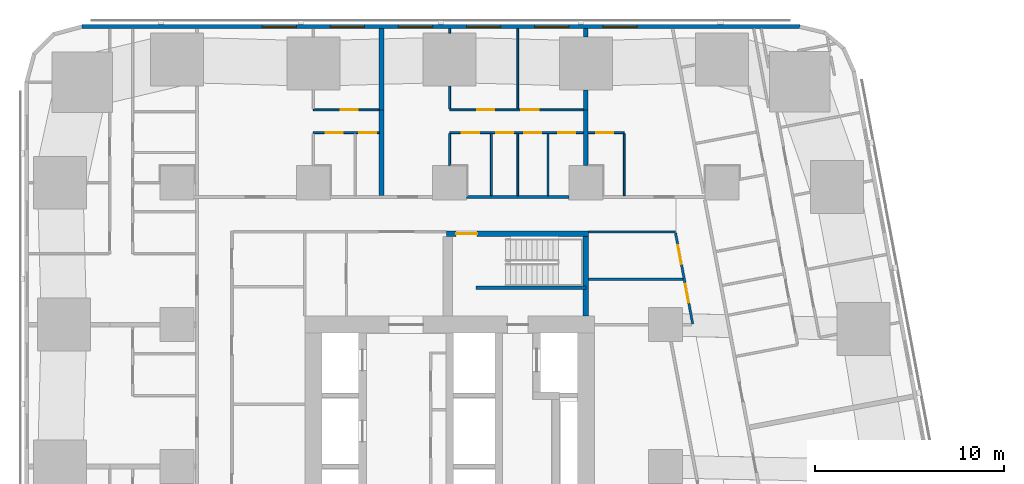
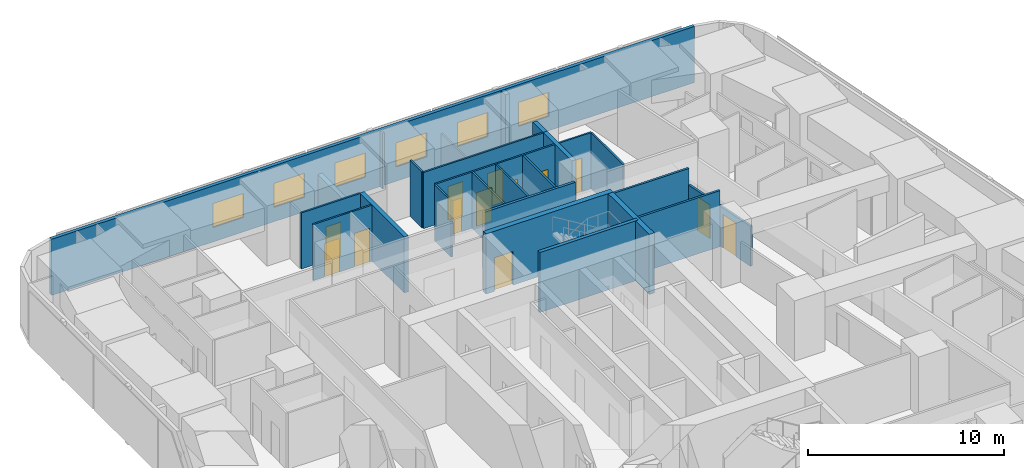
# One storey, part 10 of 16: 26 walls, 13 doors, 6 windows, 19 openings.
"""IFC4 building model written with IfcOpenShell, lengths in metres."""

from ifc_helpers import new_model, si_unit, direction, frame, frame_2d, origin, place, context, subcontext, project, spatial, rectangle, extrude, material, layer, layer_set, type_object, element, fill, save


model = new_model("IFC4")

# Units and contexts
model_context = context("Model", 3, precision=1e-05, world=origin(), true_north=direction((0.0, 1.0)))
body_context = subcontext(model_context, "Body", "Model", "MODEL_VIEW")
ifc_project = project(units=[si_unit("LENGTHUNIT", "METRE"), si_unit("AREAUNIT", "SQUARE_METRE"), si_unit("VOLUMEUNIT", "CUBIC_METRE"), si_unit("PLANEANGLEUNIT", "RADIAN"), si_unit("MASSUNIT", "GRAM", prefix="KILO")], contexts=[model_context])

# Site, building, storey
site_placement = place(None, origin())
site = spatial("IfcSite", under=ifc_project, at=site_placement, CompositionType="ELEMENT")
building_placement = place(site_placement, origin())
building = spatial("IfcBuilding", under=site, at=building_placement, Name="Sheger Commons Tower", CompositionType="ELEMENT")
storey_placement = place(building_placement, frame((0.0, 0.0, 57.5)))
storey = spatial("IfcBuildingStorey", under=building, at=storey_placement, Name="L14", CompositionType="ELEMENT", Elevation=57.5)

# Walls
ifc_material_1 = material(Name="Hollow concrete block masonry, skimmed both sides", Category="masonry")
ifc_layer_1 = layer(ifc_material_1, 0.14990234375)
ifc_layer_set_1 = layer_set([ifc_layer_1], Name="CORRIDOR WALL 150")
wall_type_1 = type_object("IfcWallType", Name="CORRIDOR WALL 150", PredefinedType="SOLIDWALL", material=ifc_layer_set_1)
wall_1_placement = place(storey_placement, frame((22.5009765625, 36.75, 0.0), z_axis=(0.0, 0.0, 1.0), x_axis=(1.0, 0.0, 0.0)))
element("IfcWall", 1, at=wall_1_placement, inside=storey, type_object=wall_type_1, Name="Corridor wall L14", PredefinedType="SOLIDWALL", context=body_context, shape_type="SweptSolid", body=[
    extrude(rectangle(XDim=5.39794921875, YDim=0.14990234375, at=frame_2d((2.698974609375, 0.0))), origin(), (0.0, 0.0, 1.0), 3.5),
])
ifc_material_2 = material(Name="Dense concrete block masonry, plastered both sides (separating wall between flats)", Category="masonry")
ifc_layer_2 = layer(ifc_material_2, 0.25)
ifc_layer_set_2 = layer_set([ifc_layer_2], Name="DEMISING WALL 250")
wall_type_2 = type_object("IfcWallType", Name="DEMISING WALL 250", PredefinedType="SOLIDWALL", material=ifc_layer_set_2)
wall_2_placement = place(storey_placement, frame((18.0, 41.35009765625, 0.0), z_axis=(0.0, 0.0, 1.0), x_axis=(0.0, 1.0, 0.0)))
element("IfcWall", 2, at=wall_2_placement, inside=storey, type_object=wall_type_2, Name="Demising wall L14", PredefinedType="SOLIDWALL", context=body_context, shape_type="SweptSolid", body=[
    extrude(rectangle(XDim=4.2998046875, YDim=0.25, at=frame_2d((2.14990234375, 0.0))), origin(), (0.0, 0.0, 1.0), 2.050048828125),
])
wall_3_placement = place(storey_placement, frame((18.0, 36.824951171875, 0.0), z_axis=(0.0, 0.0, 1.0), x_axis=(0.0, 1.0, 0.0)))
element("IfcWall", 3, at=wall_3_placement, inside=storey, type_object=wall_type_2, Name="Demising wall L14", PredefinedType="SOLIDWALL", context=body_context, shape_type="SweptSolid", body=[
    extrude(rectangle(XDim=4.525146484375, YDim=0.25, at=frame_2d((2.2626953125, 0.0))), origin(), (0.0, 0.0, 1.0), 3.5),
])
wall_4_placement = place(storey_placement, frame((28.800048828125, 41.35009765625, 0.0), z_axis=(0.0, 0.0, 1.0), x_axis=(0.0, 1.0, 0.0)))
element("IfcWall", 4, at=wall_4_placement, inside=storey, type_object=wall_type_2, Name="Demising wall L14", PredefinedType="SOLIDWALL", context=body_context, shape_type="SweptSolid", body=[
    extrude(rectangle(XDim=1.048828125, YDim=0.25, at=frame_2d((0.5244140625, 0.0))), origin(), (0.0, 0.0, 1.0), 3.5),
])
wall_5_placement = place(storey_placement, frame((28.800048828125, 45.200927734375, 0.0), z_axis=(0.0, 0.0, 1.0), x_axis=(0.0, 1.0, 0.0)))
element("IfcWall", 5, at=wall_5_placement, inside=storey, type_object=wall_type_2, Name="Demising wall L14", PredefinedType="SOLIDWALL", context=body_context, shape_type="SweptSolid", body=[
    extrude(rectangle(XDim=0.448974609375, YDim=0.25, at=frame_2d((0.224609375, 0.0))), origin(), (0.0, 0.0, 1.0), 3.5),
])
wall_6_placement = place(storey_placement, frame((28.800048828125, 38.40087890625, 0.0), z_axis=(0.0, 0.0, 1.0), x_axis=(0.0, 1.0, 0.0)))
element("IfcWall", 6, at=wall_6_placement, inside=storey, type_object=wall_type_2, Name="Demising wall L14", PredefinedType="SOLIDWALL", context=body_context, shape_type="SweptSolid", body=[
    extrude(rectangle(XDim=2.94921875, YDim=0.25, at=frame_2d((1.474609375, 0.0))), origin(), (0.0, 0.0, 1.0), 3.5),
])

# Wall, openings, windows
ifc_material_3 = material(Name="Rendered concrete block masonry, dark grey", Category="masonry")
ifc_layer_3 = layer(ifc_material_3, 0.199951171875)
ifc_layer_set_3 = layer_set([ifc_layer_3], Name="FACADE WALL 200")
wall_type_3 = type_object("IfcWallType", Name="FACADE WALL 200", PredefinedType="SOLIDWALL", material=ifc_layer_set_3)
wall_7_placement = place(storey_placement, frame((40.10595703125, 45.75, 0.0), z_axis=(0.0, 0.0, 1.0), x_axis=(-1.0, 0.0, 0.0)))
wall_7 = element("IfcWall", 7, at=wall_7_placement, inside=storey, type_object=wall_type_3, Name="Facade wall L14", PredefinedType="SOLIDWALL", context=body_context, shape_type="SweptSolid", body=[
    extrude(rectangle(XDim=37.94287109375, YDim=0.199951171875, at=frame_2d((18.971435546875, 0.0))), origin(), (0.0, 0.0, 1.0), 3.5),
])
opening_1_placement = place(wall_7_placement, frame((8.60595703125, 0.0, 0.89990234375)))
opening_1 = element("IfcOpeningElement", 8, at=opening_1_placement, cuts=wall_7, Name="Opening W2", PredefinedType="OPENING", context=body_context, shape_type="SweptSolid", body=[
    extrude(rectangle(XDim=1.800048828125, YDim=1.5, at=frame_2d((0.89990234375, 0.75))), frame((0.0, 0.10986328125, 0.0), z_axis=(0.0, -1.0, 0.0), x_axis=(1.0, 0.0, 0.0)), (0.0, 0.0, 1.0), 0.219970703125),
])
opening_2_placement = place(wall_7_placement, frame((12.2060546875, 0.0, 0.89990234375)))
opening_2 = element("IfcOpeningElement", 9, at=opening_2_placement, cuts=wall_7, Name="Opening W2", PredefinedType="OPENING", context=body_context, shape_type="SweptSolid", body=[
    extrude(rectangle(XDim=1.800048828125, YDim=1.5, at=frame_2d((0.89990234375, 0.75))), frame((0.0, 0.10986328125, 0.0), z_axis=(0.0, -1.0, 0.0), x_axis=(1.0, 0.0, 0.0)), (0.0, 0.0, 1.0), 0.219970703125),
])
opening_3_placement = place(wall_7_placement, frame((15.805908203125, 0.0, 0.89990234375)))
opening_3 = element("IfcOpeningElement", 10, at=opening_3_placement, cuts=wall_7, Name="Opening W2", PredefinedType="OPENING", context=body_context, shape_type="SweptSolid", body=[
    extrude(rectangle(XDim=1.800048828125, YDim=1.5, at=frame_2d((0.89990234375, 0.75))), frame((0.0, 0.10986328125, 0.0), z_axis=(0.0, -1.0, 0.0), x_axis=(1.0, 0.0, 0.0)), (0.0, 0.0, 1.0), 0.219970703125),
])
opening_4_placement = place(wall_7_placement, frame((19.406005859375, 0.0, 0.89990234375)))
opening_4 = element("IfcOpeningElement", 11, at=opening_4_placement, cuts=wall_7, Name="Opening W2", PredefinedType="OPENING", context=body_context, shape_type="SweptSolid", body=[
    extrude(rectangle(XDim=1.800048828125, YDim=1.5, at=frame_2d((0.89990234375, 0.75))), frame((0.0, 0.10986328125, 0.0), z_axis=(0.0, -1.0, 0.0), x_axis=(1.0, 0.0, 0.0)), (0.0, 0.0, 1.0), 0.219970703125),
])
opening_5_placement = place(wall_7_placement, frame((23.006103515625, 0.0, 0.89990234375)))
opening_5 = element("IfcOpeningElement", 12, at=opening_5_placement, cuts=wall_7, Name="Opening W2", PredefinedType="OPENING", context=body_context, shape_type="SweptSolid", body=[
    extrude(rectangle(XDim=1.800048828125, YDim=1.5, at=frame_2d((0.89990234375, 0.75))), frame((0.0, 0.10986328125, 0.0), z_axis=(0.0, -1.0, 0.0), x_axis=(1.0, 0.0, 0.0)), (0.0, 0.0, 1.0), 0.219970703125),
])
opening_6_placement = place(wall_7_placement, frame((26.60595703125, 0.0, 0.89990234375)))
opening_6 = element("IfcOpeningElement", 13, at=opening_6_placement, cuts=wall_7, Name="Opening W2", PredefinedType="OPENING", context=body_context, shape_type="SweptSolid", body=[
    extrude(rectangle(XDim=1.800048828125, YDim=1.5, at=frame_2d((0.89990234375, 0.75))), frame((0.0, 0.10986328125, 0.0), z_axis=(0.0, -1.0, 0.0), x_axis=(1.0, 0.0, 0.0)), (0.0, 0.0, 1.0), 0.219970703125),
])
ifc_material_4 = material(Name="Black aluminium frame, dark tinted double glazing", Category="aluminium")
window_type = type_object("IfcWindowType", Name="WINDOW W2 1800x1500", PartitioningType="SINGLE_PANEL", PredefinedType="WINDOW", material=ifc_material_4)
window_1_placement = place(opening_1_placement, origin())
window_1 = element("IfcWindow", 14, at=window_1_placement, inside=storey, type_object=window_type, Name="Window W2 1800X1500", OverallHeight=1.5, OverallWidth=1.800048828125, PartitioningType="SINGLE_PANEL", PredefinedType="WINDOW", context=body_context, shape_type="SweptSolid", body=[
    extrude(rectangle(XDim=1.800048828125, YDim=1.5, at=frame_2d((0.89990234375, 0.75))), frame((0.0, 0.030029296875, 0.0), z_axis=(0.0, -1.0, 0.0), x_axis=(1.0, 0.0, 0.0)), (0.0, 0.0, 1.0), 0.06005859375),
])
fill(opening_1, window_1)
window_2_placement = place(opening_2_placement, origin())
window_2 = element("IfcWindow", 15, at=window_2_placement, inside=storey, type_object=window_type, Name="Window W2 1800X1500", OverallHeight=1.5, OverallWidth=1.800048828125, PartitioningType="SINGLE_PANEL", PredefinedType="WINDOW", context=body_context, shape_type="SweptSolid", body=[
    extrude(rectangle(XDim=1.800048828125, YDim=1.5, at=frame_2d((0.89990234375, 0.75))), frame((0.0, 0.030029296875, 0.0), z_axis=(0.0, -1.0, 0.0), x_axis=(1.0, 0.0, 0.0)), (0.0, 0.0, 1.0), 0.06005859375),
])
fill(opening_2, window_2)
window_3_placement = place(opening_3_placement, origin())
window_3 = element("IfcWindow", 16, at=window_3_placement, inside=storey, type_object=window_type, Name="Window W2 1800X1500", OverallHeight=1.5, OverallWidth=1.800048828125, PartitioningType="SINGLE_PANEL", PredefinedType="WINDOW", context=body_context, shape_type="SweptSolid", body=[
    extrude(rectangle(XDim=1.800048828125, YDim=1.5, at=frame_2d((0.89990234375, 0.75))), frame((0.0, 0.030029296875, 0.0), z_axis=(0.0, -1.0, 0.0), x_axis=(1.0, 0.0, 0.0)), (0.0, 0.0, 1.0), 0.06005859375),
])
fill(opening_3, window_3)
window_4_placement = place(opening_4_placement, origin())
window_4 = element("IfcWindow", 17, at=window_4_placement, inside=storey, type_object=window_type, Name="Window W2 1800X1500", OverallHeight=1.5, OverallWidth=1.800048828125, PartitioningType="SINGLE_PANEL", PredefinedType="WINDOW", context=body_context, shape_type="SweptSolid", body=[
    extrude(rectangle(XDim=1.800048828125, YDim=1.5, at=frame_2d((0.89990234375, 0.75))), frame((0.0, 0.030029296875, 0.0), z_axis=(0.0, -1.0, 0.0), x_axis=(1.0, 0.0, 0.0)), (0.0, 0.0, 1.0), 0.06005859375),
])
fill(opening_4, window_4)
window_5_placement = place(opening_5_placement, origin())
window_5 = element("IfcWindow", 18, at=window_5_placement, inside=storey, type_object=window_type, Name="Window W2 1800X1500", OverallHeight=1.5, OverallWidth=1.800048828125, PartitioningType="SINGLE_PANEL", PredefinedType="WINDOW", context=body_context, shape_type="SweptSolid", body=[
    extrude(rectangle(XDim=1.800048828125, YDim=1.5, at=frame_2d((0.89990234375, 0.75))), frame((0.0, 0.030029296875, 0.0), z_axis=(0.0, -1.0, 0.0), x_axis=(1.0, 0.0, 0.0)), (0.0, 0.0, 1.0), 0.06005859375),
])
fill(opening_5, window_5)
window_6_placement = place(opening_6_placement, origin())
window_6 = element("IfcWindow", 19, at=window_6_placement, inside=storey, type_object=window_type, Name="Window W2 1800X1500", OverallHeight=1.5, OverallWidth=1.800048828125, PartitioningType="SINGLE_PANEL", PredefinedType="WINDOW", context=body_context, shape_type="SweptSolid", body=[
    extrude(rectangle(XDim=1.800048828125, YDim=1.5, at=frame_2d((0.89990234375, 0.75))), frame((0.0, 0.030029296875, 0.0), z_axis=(0.0, -1.0, 0.0), x_axis=(1.0, 0.0, 0.0)), (0.0, 0.0, 1.0), 0.06005859375),
])
fill(opening_6, window_6)

# Wall, opening, door
ifc_material_5 = material(Name="Gypsum board on steel studs", Category="steel")
ifc_layer_4 = layer(ifc_material_5, 0.10009765625)
ifc_layer_set_4 = layer_set([ifc_layer_4], Name="PARTITION 100")
wall_type_4 = type_object("IfcWallType", Name="PARTITION 100", PredefinedType="PARTITIONING", material=ifc_layer_set_4)
wall_8_placement = place(storey_placement, frame((14.39990234375, 41.35009765625, 0.0), z_axis=(0.0, 0.0, 1.0), x_axis=(1.0, 0.0, 0.0)))
wall_8 = element("IfcWall", 20, at=wall_8_placement, inside=storey, type_object=wall_type_4, Name="Partition L14", PredefinedType="PARTITIONING", context=body_context, shape_type="SweptSolid", body=[
    extrude(rectangle(XDim=3.47509765625, YDim=0.10009765625, at=frame_2d((1.737548828125, 0.0))), origin(), (0.0, 0.0, 1.0), 3.5),
])
opening_7_placement = place(wall_8_placement, frame((1.449951171875, 0.0, 0.0)))
opening_7 = element("IfcOpeningElement", 21, at=opening_7_placement, cuts=wall_8, Name="Opening D2", PredefinedType="OPENING", context=body_context, shape_type="SweptSolid", body=[
    extrude(rectangle(XDim=0.89990234375, YDim=2.10009765625, at=frame_2d((0.449951171875, 1.050048828125))), frame((0.0, 0.06005859375, 0.0), z_axis=(0.0, -1.0, 0.0), x_axis=(1.0, 0.0, 0.0)), (0.0, 0.0, 1.0), 0.1201171875),
])
ifc_material_6 = material(Name="Timber door set", Category="wood")
door_type_1 = type_object("IfcDoorType", Name="INTERNAL DOOR 900x2100", OperationType="NOTDEFINED", PredefinedType="DOOR", material=ifc_material_6)
door_1_placement = place(opening_7_placement, origin())
door_1 = element("IfcDoor", 22, at=door_1_placement, inside=storey, type_object=door_type_1, Name="Main bedroom door", OperationType="SINGLE_SWING_RIGHT", OverallHeight=2.10009765625, OverallWidth=0.89990234375, PredefinedType="DOOR", context=body_context, shape_type="SweptSolid", body=[
    extrude(rectangle(XDim=0.89990234375, YDim=2.10009765625, at=frame_2d((0.449951171875, 1.050048828125))), frame((0.0, 0.02490234375, 0.0), z_axis=(0.0, -1.0, 0.0), x_axis=(1.0, 0.0, 0.0)), (0.0, 0.0, 1.0), 0.050048828125),
])
fill(opening_7, door_1)

# Wall, openings, doors
wall_9_placement = place(storey_placement, frame((14.39990234375, 40.14990234375, 0.0), z_axis=(0.0, 0.0, 1.0), x_axis=(1.0, 0.0, 0.0)))
wall_9 = element("IfcWall", 23, at=wall_9_placement, inside=storey, type_object=wall_type_4, Name="Partition L14", PredefinedType="PARTITIONING", context=body_context, shape_type="SweptSolid", body=[
    extrude(rectangle(XDim=3.47509765625, YDim=0.10009765625, at=frame_2d((1.737548828125, 0.0))), origin(), (0.0, 0.0, 1.0), 3.5),
])
opening_8_placement = place(wall_9_placement, frame((0.655029296875, 0.0, 0.0)))
opening_8 = element("IfcOpeningElement", 24, at=opening_8_placement, cuts=wall_9, Name="Opening D2", PredefinedType="OPENING", context=body_context, shape_type="SweptSolid", body=[
    extrude(rectangle(XDim=0.89990234375, YDim=2.10009765625, at=frame_2d((0.449951171875, 1.050048828125))), frame((0.0, 0.06005859375, 0.0), z_axis=(0.0, -1.0, 0.0), x_axis=(1.0, 0.0, 0.0)), (0.0, 0.0, 1.0), 0.1201171875),
])
opening_9_placement = place(wall_9_placement, frame((2.425048828125, 0.0, 0.0)))
opening_9 = element("IfcOpeningElement", 25, at=opening_9_placement, cuts=wall_9, Name="Opening D2", PredefinedType="OPENING", context=body_context, shape_type="SweptSolid", body=[
    extrude(rectangle(XDim=0.89990234375, YDim=2.10009765625, at=frame_2d((0.449951171875, 1.050048828125))), frame((0.0, 0.06005859375, 0.0), z_axis=(0.0, -1.0, 0.0), x_axis=(1.0, 0.0, 0.0)), (0.0, 0.0, 1.0), 0.1201171875),
])
door_2_placement = place(opening_8_placement, origin())
door_2 = element("IfcDoor", 26, at=door_2_placement, inside=storey, type_object=door_type_1, Name="Bathroom door", OperationType="SINGLE_SWING_RIGHT", OverallHeight=2.10009765625, OverallWidth=0.89990234375, PredefinedType="DOOR", context=body_context, shape_type="SweptSolid", body=[
    extrude(rectangle(XDim=0.89990234375, YDim=2.10009765625, at=frame_2d((0.449951171875, 1.050048828125))), frame((0.0, 0.02490234375, 0.0), z_axis=(0.0, -1.0, 0.0), x_axis=(1.0, 0.0, 0.0)), (0.0, 0.0, 1.0), 0.050048828125),
])
fill(opening_8, door_2)
door_3_placement = place(opening_9_placement, origin())
door_3 = element("IfcDoor", 27, at=door_3_placement, inside=storey, type_object=door_type_1, Name="Store door", OperationType="SINGLE_SWING_LEFT", OverallHeight=2.10009765625, OverallWidth=0.89990234375, PredefinedType="DOOR", context=body_context, shape_type="SweptSolid", body=[
    extrude(rectangle(XDim=0.89990234375, YDim=2.10009765625, at=frame_2d((0.449951171875, 1.050048828125))), frame((0.0, 0.02490234375, 0.0), z_axis=(0.0, -1.0, 0.0), x_axis=(1.0, 0.0, 0.0)), (0.0, 0.0, 1.0), 0.050048828125),
])
fill(opening_9, door_3)

wall_10_placement = place(storey_placement, frame((21.60009765625, 41.35009765625, 0.0), z_axis=(0.0, 0.0, 1.0), x_axis=(1.0, 0.0, 0.0)))
wall_10 = element("IfcWall", 28, at=wall_10_placement, inside=storey, type_object=wall_type_4, Name="Partition L14", PredefinedType="PARTITIONING", context=body_context, shape_type="SweptSolid", body=[
    extrude(rectangle(XDim=7.074951171875, YDim=0.10009765625, at=frame_2d((3.53759765625, 0.0))), origin(), (0.0, 0.0, 1.0), 3.5),
])
opening_10_placement = place(wall_10_placement, frame((1.449951171875, 0.0, 0.0)))
opening_10 = element("IfcOpeningElement", 29, at=opening_10_placement, cuts=wall_10, Name="Opening D2", PredefinedType="OPENING", context=body_context, shape_type="SweptSolid", body=[
    extrude(rectangle(XDim=0.89990234375, YDim=2.10009765625, at=frame_2d((0.449951171875, 1.050048828125))), frame((0.0, 0.06005859375, 0.0), z_axis=(0.0, -1.0, 0.0), x_axis=(1.0, 0.0, 0.0)), (0.0, 0.0, 1.0), 0.1201171875),
])
opening_11_placement = place(wall_10_placement, frame((3.800048828125, 0.0, 0.0)))
opening_11 = element("IfcOpeningElement", 30, at=opening_11_placement, cuts=wall_10, Name="Opening D2", PredefinedType="OPENING", context=body_context, shape_type="SweptSolid", body=[
    extrude(rectangle(XDim=0.89990234375, YDim=2.10009765625, at=frame_2d((0.449951171875, 1.050048828125))), frame((0.0, 0.06005859375, 0.0), z_axis=(0.0, -1.0, 0.0), x_axis=(1.0, 0.0, 0.0)), (0.0, 0.0, 1.0), 0.1201171875),
])
door_4_placement = place(opening_10_placement, origin())
door_4 = element("IfcDoor", 31, at=door_4_placement, inside=storey, type_object=door_type_1, Name="Main bedroom door", OperationType="SINGLE_SWING_LEFT", OverallHeight=2.10009765625, OverallWidth=0.89990234375, PredefinedType="DOOR", context=body_context, shape_type="SweptSolid", body=[
    extrude(rectangle(XDim=0.89990234375, YDim=2.10009765625, at=frame_2d((0.449951171875, 1.050048828125))), frame((0.0, 0.02490234375, 0.0), z_axis=(0.0, -1.0, 0.0), x_axis=(1.0, 0.0, 0.0)), (0.0, 0.0, 1.0), 0.050048828125),
])
fill(opening_10, door_4)
door_5_placement = place(opening_11_placement, origin())
door_5 = element("IfcDoor", 32, at=door_5_placement, inside=storey, type_object=door_type_1, Name="Bedroom 2 door", OperationType="SINGLE_SWING_LEFT", OverallHeight=2.10009765625, OverallWidth=0.89990234375, PredefinedType="DOOR", context=body_context, shape_type="SweptSolid", body=[
    extrude(rectangle(XDim=0.89990234375, YDim=2.10009765625, at=frame_2d((0.449951171875, 1.050048828125))), frame((0.0, 0.02490234375, 0.0), z_axis=(0.0, -1.0, 0.0), x_axis=(1.0, 0.0, 0.0)), (0.0, 0.0, 1.0), 0.050048828125),
])
fill(opening_11, door_5)

wall_11_placement = place(storey_placement, frame((21.60009765625, 40.14990234375, 0.0), z_axis=(0.0, 0.0, 1.0), x_axis=(1.0, 0.0, 0.0)))
wall_11 = element("IfcWall", 33, at=wall_11_placement, inside=storey, type_object=wall_type_4, Name="Partition L14", PredefinedType="PARTITIONING", context=body_context, shape_type="SweptSolid", body=[
    extrude(rectangle(XDim=7.074951171875, YDim=0.10009765625, at=frame_2d((3.53759765625, 0.0))), origin(), (0.0, 0.0, 1.0), 3.5),
])
opening_12_placement = place(wall_11_placement, frame((0.655029296875, 0.0, 0.0)))
opening_12 = element("IfcOpeningElement", 34, at=opening_12_placement, cuts=wall_11, Name="Opening D2", PredefinedType="OPENING", context=body_context, shape_type="SweptSolid", body=[
    extrude(rectangle(XDim=0.89990234375, YDim=2.10009765625, at=frame_2d((0.449951171875, 1.050048828125))), frame((0.0, 0.06005859375, 0.0), z_axis=(0.0, -1.0, 0.0), x_axis=(1.0, 0.0, 0.0)), (0.0, 0.0, 1.0), 0.1201171875),
])
opening_13_placement = place(wall_11_placement, frame((3.949951171875, 0.0, 0.0)))
opening_13 = element("IfcOpeningElement", 35, at=opening_13_placement, cuts=wall_11, Name="Opening D2", PredefinedType="OPENING", context=body_context, shape_type="SweptSolid", body=[
    extrude(rectangle(XDim=0.89990234375, YDim=2.10009765625, at=frame_2d((0.449951171875, 1.050048828125))), frame((0.0, 0.06005859375, 0.0), z_axis=(0.0, -1.0, 0.0), x_axis=(1.0, 0.0, 0.0)), (0.0, 0.0, 1.0), 0.1201171875),
])
opening_14_placement = place(wall_11_placement, frame((2.455078125, 0.0, 0.0)))
opening_14 = element("IfcOpeningElement", 36, at=opening_14_placement, cuts=wall_11, Name="Opening D2", PredefinedType="OPENING", context=body_context, shape_type="SweptSolid", body=[
    extrude(rectangle(XDim=0.89990234375, YDim=2.10009765625, at=frame_2d((0.449951171875, 1.050048828125))), frame((0.0, 0.06005859375, 0.0), z_axis=(0.0, -1.0, 0.0), x_axis=(1.0, 0.0, 0.0)), (0.0, 0.0, 1.0), 0.1201171875),
])
opening_15_placement = place(wall_11_placement, frame((5.75, 0.0, 0.0)))
opening_15 = element("IfcOpeningElement", 37, at=opening_15_placement, cuts=wall_11, Name="Opening D2", PredefinedType="OPENING", context=body_context, shape_type="SweptSolid", body=[
    extrude(rectangle(XDim=0.89990234375, YDim=2.10009765625, at=frame_2d((0.449951171875, 1.050048828125))), frame((0.0, 0.06005859375, 0.0), z_axis=(0.0, -1.0, 0.0), x_axis=(1.0, 0.0, 0.0)), (0.0, 0.0, 1.0), 0.1201171875),
])
door_6_placement = place(opening_12_placement, origin())
door_6 = element("IfcDoor", 38, at=door_6_placement, inside=storey, type_object=door_type_1, Name="Bathroom door", OperationType="SINGLE_SWING_RIGHT", OverallHeight=2.10009765625, OverallWidth=0.89990234375, PredefinedType="DOOR", context=body_context, shape_type="SweptSolid", body=[
    extrude(rectangle(XDim=0.89990234375, YDim=2.10009765625, at=frame_2d((0.449951171875, 1.050048828125))), frame((0.0, 0.02490234375, 0.0), z_axis=(0.0, -1.0, 0.0), x_axis=(1.0, 0.0, 0.0)), (0.0, 0.0, 1.0), 0.050048828125),
])
fill(opening_12, door_6)
door_7_placement = place(opening_13_placement, origin())
door_7 = element("IfcDoor", 39, at=door_7_placement, inside=storey, type_object=door_type_1, Name="Shower room door", OperationType="SINGLE_SWING_LEFT", OverallHeight=2.10009765625, OverallWidth=0.89990234375, PredefinedType="DOOR", context=body_context, shape_type="SweptSolid", body=[
    extrude(rectangle(XDim=0.89990234375, YDim=2.10009765625, at=frame_2d((0.449951171875, 1.050048828125))), frame((0.0, 0.02490234375, 0.0), z_axis=(0.0, -1.0, 0.0), x_axis=(1.0, 0.0, 0.0)), (0.0, 0.0, 1.0), 0.050048828125),
])
fill(opening_13, door_7)
door_8_placement = place(opening_14_placement, origin())
door_8 = element("IfcDoor", 40, at=door_8_placement, inside=storey, type_object=door_type_1, Name="Store door", OperationType="SINGLE_SWING_LEFT", OverallHeight=2.10009765625, OverallWidth=0.89990234375, PredefinedType="DOOR", context=body_context, shape_type="SweptSolid", body=[
    extrude(rectangle(XDim=0.89990234375, YDim=2.10009765625, at=frame_2d((0.449951171875, 1.050048828125))), frame((0.0, 0.02490234375, 0.0), z_axis=(0.0, -1.0, 0.0), x_axis=(1.0, 0.0, 0.0)), (0.0, 0.0, 1.0), 0.050048828125),
])
fill(opening_14, door_8)
door_9_placement = place(opening_15_placement, origin())
door_9 = element("IfcDoor", 41, at=door_9_placement, inside=storey, type_object=door_type_1, Name="Store door", OperationType="SINGLE_SWING_LEFT", OverallHeight=2.10009765625, OverallWidth=0.89990234375, PredefinedType="DOOR", context=body_context, shape_type="SweptSolid", body=[
    extrude(rectangle(XDim=0.89990234375, YDim=2.10009765625, at=frame_2d((0.449951171875, 1.050048828125))), frame((0.0, 0.02490234375, 0.0), z_axis=(0.0, -1.0, 0.0), x_axis=(1.0, 0.0, 0.0)), (0.0, 0.0, 1.0), 0.050048828125),
])
fill(opening_15, door_9)

# Walls
wall_12_placement = place(storey_placement, frame((21.60009765625, 41.39990234375, 0.0), z_axis=(0.0, 0.0, 1.0), x_axis=(0.0, 1.0, 0.0)))
element("IfcWall", 42, at=wall_12_placement, inside=storey, type_object=wall_type_4, Name="Partition L14", PredefinedType="PARTITIONING", context=body_context, shape_type="SweptSolid", body=[
    extrude(rectangle(XDim=1.19921875, YDim=0.10009765625, at=frame_2d((0.599609375, 0.0))), origin(), (0.0, 0.0, 1.0), 3.5),
])
wall_13_placement = place(storey_placement, frame((21.60009765625, 45.40087890625, 0.0), z_axis=(0.0, 0.0, 1.0), x_axis=(0.0, 1.0, 0.0)))
element("IfcWall", 43, at=wall_13_placement, inside=storey, type_object=wall_type_4, Name="Partition L14", PredefinedType="PARTITIONING", context=body_context, shape_type="SweptSolid", body=[
    extrude(rectangle(XDim=0.2490234375, YDim=0.10009765625, at=frame_2d((0.12451171875, 0.0))), origin(), (0.0, 0.0, 1.0), 3.5),
])
wall_14_placement = place(storey_placement, frame((25.199951171875, 41.39990234375, 0.0), z_axis=(0.0, 0.0, 1.0), x_axis=(0.0, 1.0, 0.0)))
element("IfcWall", 44, at=wall_14_placement, inside=storey, type_object=wall_type_4, Name="Partition L14", PredefinedType="PARTITIONING", context=body_context, shape_type="SweptSolid", body=[
    extrude(rectangle(XDim=4.25, YDim=0.10009765625, at=frame_2d((2.125, 0.0))), origin(), (0.0, 0.0, 1.0), 2.050048828125),
])
wall_15_placement = place(storey_placement, frame((21.60009765625, 38.40087890625, 0.0), z_axis=(0.0, 0.0, 1.0), x_axis=(0.0, 1.0, 0.0)))
element("IfcWall", 45, at=wall_15_placement, inside=storey, type_object=wall_type_4, Name="Partition L14", PredefinedType="PARTITIONING", context=body_context, shape_type="SweptSolid", body=[
    extrude(rectangle(XDim=1.69921875, YDim=0.10009765625, at=frame_2d((0.849609375, 0.0))), origin(), (0.0, 0.0, 1.0), 3.5),
])
for number, where, z_axis, x_axis, name in (
    (46, (25.199951171875, 36.824951171875, 0.0), (0.0, 0.0, 1.0), (0.0, 1.0, 0.0), "Partition L14"),
    (47, (23.81005859375, 36.824951171875, 0.0), (0.0, 0.0, 1.0), (0.0, 1.0, 0.0), "Partition L14"),
    (48, (26.800048828125, 36.824951171875, 0.0), (0.0, 0.0, 1.0), (0.0, 1.0, 0.0), "Partition L14"),
):
    element("IfcWall", number, at=place(storey_placement, frame(where, z_axis=z_axis, x_axis=x_axis)), inside=storey, type_object=wall_type_4, Name=name, PredefinedType="PARTITIONING", context=body_context, shape_type="SweptSolid", body=[
        extrude(rectangle(XDim=3.275146484375, YDim=0.10009765625, at=frame_2d((1.6376953125, 0.0))), origin(), (0.0, 0.0, 1.0), 3.5),
    ])

# Wall, opening, door
wall_16_placement = place(storey_placement, frame((28.925048828125, 40.14990234375, 0.0), z_axis=(0.0, 0.0, 1.0), x_axis=(1.0, 0.0, 0.0)))
wall_16 = element("IfcWall", 49, at=wall_16_placement, inside=storey, type_object=wall_type_4, Name="Partition L14", PredefinedType="PARTITIONING", context=body_context, shape_type="SweptSolid", body=[
    extrude(rectangle(XDim=1.904052734375, YDim=0.10009765625, at=frame_2d((0.9521484375, 0.0))), origin(), (0.0, 0.0, 1.0), 3.5),
])
opening_16_placement = place(wall_16_placement, frame((0.425048828125, 0.0, 0.0)))
opening_16 = element("IfcOpeningElement", 50, at=opening_16_placement, cuts=wall_16, Name="Opening D2", PredefinedType="OPENING", context=body_context, shape_type="SweptSolid", body=[
    extrude(rectangle(XDim=0.89990234375, YDim=2.10009765625, at=frame_2d((0.449951171875, 1.050048828125))), frame((0.0, 0.06005859375, 0.0), z_axis=(0.0, -1.0, 0.0), x_axis=(1.0, 0.0, 0.0)), (0.0, 0.0, 1.0), 0.1201171875),
])
door_10_placement = place(opening_16_placement, origin())
door_10 = element("IfcDoor", 51, at=door_10_placement, inside=storey, type_object=door_type_1, Name="Shower room door", OperationType="SINGLE_SWING_RIGHT", OverallHeight=2.10009765625, OverallWidth=0.89990234375, PredefinedType="DOOR", context=body_context, shape_type="SweptSolid", body=[
    extrude(rectangle(XDim=0.89990234375, YDim=2.10009765625, at=frame_2d((0.449951171875, 1.050048828125))), frame((0.0, 0.02490234375, 0.0), z_axis=(0.0, -1.0, 0.0), x_axis=(1.0, 0.0, 0.0)), (0.0, 0.0, 1.0), 0.050048828125),
])
fill(opening_16, door_10)

# Walls
wall_17_placement = place(storey_placement, frame((30.8291015625, 36.824951171875, 0.0), z_axis=(0.0, 0.0, 1.0), x_axis=(0.0, 1.0, 0.0)))
element("IfcWall", 52, at=wall_17_placement, inside=storey, type_object=wall_type_4, Name="Partition L14", PredefinedType="PARTITIONING", context=body_context, shape_type="SweptSolid", body=[
    extrude(rectangle(XDim=3.275146484375, YDim=0.10009765625, at=frame_2d((1.6376953125, 0.0))), origin(), (0.0, 0.0, 1.0), 3.5),
])
ifc_material_7 = material(Name="Gypsum board on steel studs, two layers each side, fire rated", Category="steel")
ifc_layer_5 = layer(ifc_material_7, 0.125)
ifc_layer_set_5 = layer_set([ifc_layer_5], Name="SERVICE WALL 125")
wall_type_5 = type_object("IfcWallType", Name="SERVICE WALL 125", PredefinedType="PARTITIONING", material=ifc_layer_set_5)
wall_18_placement = place(storey_placement, frame((28.949951171875, 34.89990234375, 0.0), z_axis=(0.0, 0.0, 1.0), x_axis=(1.0, 0.0, 0.0)))
element("IfcWall", 53, at=wall_18_placement, inside=storey, type_object=wall_type_5, Name="Service room wall L14", PredefinedType="PARTITIONING", context=body_context, shape_type="SweptSolid", body=[
    extrude(rectangle(XDim=4.588134765625, YDim=0.125, at=frame_2d((2.2939453125, 0.0))), origin(), (0.0, 0.0, 1.0), 3.5),
])

# Wall, openings, doors
wall_19_placement = place(storey_placement, frame((34.447998046875, 30.0400390625, 0.0), z_axis=(0.0, 0.0, 1.0), x_axis=(-0.185749459238, 0.982597139418, 0.0)))
wall_19 = element("IfcWall", 54, at=wall_19_placement, inside=storey, type_object=wall_type_5, Name="Service room wall L14", PredefinedType="PARTITIONING", context=body_context, shape_type="SweptSolid", body=[
    extrude(rectangle(XDim=4.8828125, YDim=0.125, at=frame_2d((2.44140625, 0.0))), origin(), (0.0, 0.0, 1.0), 2.5),
])
opening_17_placement = place(wall_19_placement, frame((1.14990234375, 0.0, 0.0)))
opening_17 = element("IfcOpeningElement", 55, at=opening_17_placement, cuts=wall_19, Name="Opening D4", PredefinedType="OPENING", context=body_context, shape_type="SweptSolid", body=[
    extrude(rectangle(XDim=1.0, YDim=2.10009765625, at=frame_2d((0.5, 1.050048828125))), frame((0.0, 0.072509765625, 0.0), z_axis=(0.0, -1.0, 0.0), x_axis=(1.0, 0.0, 0.0)), (0.0, 0.0, 1.0), 0.14501953125),
])
opening_18_placement = place(wall_19_placement, frame((3.22509765625, 0.0, 0.0)))
opening_18 = element("IfcOpeningElement", 56, at=opening_18_placement, cuts=wall_19, Name="Opening D4", PredefinedType="OPENING", context=body_context, shape_type="SweptSolid", body=[
    extrude(rectangle(XDim=1.0, YDim=2.10009765625, at=frame_2d((0.5, 1.050048828125))), frame((0.0, 0.072509765625, 0.0), z_axis=(0.0, -1.0, 0.0), x_axis=(1.0, 0.0, 0.0)), (0.0, 0.0, 1.0), 0.14501953125),
])
ifc_material_8 = material(Name="Steel door set, fire rated", Category="steel")
door_type_2 = type_object("IfcDoorType", Name="SERVICE DOOR 1000x2100", OperationType="NOTDEFINED", PredefinedType="DOOR", material=ifc_material_8)
door_11_placement = place(opening_17_placement, origin())
door_11 = element("IfcDoor", 57, at=door_11_placement, inside=storey, type_object=door_type_2, Name="Linen store door", OperationType="SINGLE_SWING_RIGHT", OverallHeight=2.10009765625, OverallWidth=1.0, PredefinedType="DOOR", context=body_context, shape_type="SweptSolid", body=[
    extrude(rectangle(XDim=1.0, YDim=2.10009765625, at=frame_2d((0.5, 1.050048828125))), frame((0.0, 0.02490234375, 0.0), z_axis=(0.0, -1.0, 0.0), x_axis=(1.0, 0.0, 0.0)), (0.0, 0.0, 1.0), 0.050048828125),
])
fill(opening_17, door_11)
door_12_placement = place(opening_18_placement, origin())
door_12 = element("IfcDoor", 58, at=door_12_placement, inside=storey, type_object=door_type_2, Name="Cleaner's store door", OperationType="SINGLE_SWING_RIGHT", OverallHeight=2.10009765625, OverallWidth=1.0, PredefinedType="DOOR", context=body_context, shape_type="SweptSolid", body=[
    extrude(rectangle(XDim=1.0, YDim=2.10009765625, at=frame_2d((0.5, 1.050048828125))), frame((0.0, 0.02490234375, 0.0), z_axis=(0.0, -1.0, 0.0), x_axis=(1.0, 0.0, 0.0)), (0.0, 0.0, 1.0), 0.050048828125),
])
fill(opening_18, door_12)

# Wall
wall_20_placement = place(storey_placement, frame((28.949951171875, 32.39990234375, 0.0), z_axis=(0.0, 0.0, 1.0), x_axis=(1.0, 0.0, 0.0)))
element("IfcWall", 59, at=wall_20_placement, inside=storey, type_object=wall_type_5, Name="Service room wall L14", PredefinedType="PARTITIONING", context=body_context, shape_type="SweptSolid", body=[
    extrude(rectangle(XDim=4.97607421875, YDim=0.125, at=frame_2d((2.488037109375, 0.0))), origin(), (0.0, 0.0, 1.0), 3.5),
])

# Wall, opening, door
ifc_material_9 = material(Name="Concrete C50/60", Category="concrete")
ifc_layer_6 = layer(ifc_material_9, 0.300048828125)
ifc_layer_set_6 = layer_set([ifc_layer_6], Name="STAIR CORE WALL 300")
wall_type_6 = type_object("IfcWallType", Name="STAIR CORE WALL 300", PredefinedType="SHEAR", material=ifc_layer_set_6)
wall_21_placement = place(storey_placement, frame((21.449951171875, 34.800048828125, 0.0), z_axis=(0.0, 0.0, 1.0), x_axis=(1.0, 0.0, 0.0)))
wall_21 = element("IfcWall", 60, at=wall_21_placement, inside=storey, type_object=wall_type_6, Name="STW-L14-S2N", PredefinedType="SHEAR", context=body_context, shape_type="SweptSolid", body=[
    extrude(rectangle(XDim=7.5, YDim=0.300048828125, at=frame_2d((3.75, 0.0))), origin(), (0.0, 0.0, 1.0), 3.75),
])
opening_19_placement = place(wall_21_placement, frame((0.5, 0.0, 0.0)))
opening_19 = element("IfcOpeningElement", 61, at=opening_19_placement, cuts=wall_21, Name="Opening D5", PredefinedType="OPENING", context=body_context, shape_type="SweptSolid", body=[
    extrude(rectangle(XDim=1.10009765625, YDim=2.10009765625, at=frame_2d((0.550048828125, 1.050048828125))), frame((0.0, 0.159912109375, 0.0), z_axis=(0.0, -1.0, 0.0), x_axis=(1.0, 0.0, 0.0)), (0.0, 0.0, 1.0), 0.320068359375),
])
ifc_material_10 = material(Name="Steel door set, fire rated", Category="steel")
door_type_3 = type_object("IfcDoorType", Name="STAIR DOOR 1100x2100", OperationType="NOTDEFINED", PredefinedType="DOOR", material=ifc_material_10)
door_13_placement = place(opening_19_placement, origin())
door_13 = element("IfcDoor", 62, at=door_13_placement, inside=storey, type_object=door_type_3, Name="Stair S2 door", OperationType="SINGLE_SWING_RIGHT", OverallHeight=2.10009765625, OverallWidth=1.10009765625, PredefinedType="DOOR", context=body_context, shape_type="SweptSolid", body=[
    extrude(rectangle(XDim=1.10009765625, YDim=2.10009765625, at=frame_2d((0.550048828125, 1.050048828125))), frame((0.0, 0.02490234375, 0.0), z_axis=(0.0, -1.0, 0.0), x_axis=(1.0, 0.0, 0.0)), (0.0, 0.0, 1.0), 0.050048828125),
])
fill(opening_19, door_13)

# Walls
wall_22_placement = place(storey_placement, frame((28.800048828125, 30.449951171875, 0.0), z_axis=(0.0, 0.0, 1.0), x_axis=(0.0, 1.0, 0.0)))
element("IfcWall", 63, at=wall_22_placement, inside=storey, type_object=wall_type_6, Name="STW-L14-S2E", PredefinedType="SHEAR", context=body_context, shape_type="SweptSolid", body=[
    extrude(rectangle(XDim=4.199951171875, YDim=0.300048828125, at=frame_2d((2.10009765625, 0.0))), origin(), (0.0, 0.0, 1.0), 3.75),
])
ifc_material_11 = material(Name="Concrete C50/60", Category="concrete")
ifc_layer_7 = layer(ifc_material_11, 0.199951171875)
ifc_layer_set_7 = layer_set([ifc_layer_7], Name="STAIR SPINE WALL 200")
wall_type_7 = type_object("IfcWallType", Name="STAIR SPINE WALL 200", PredefinedType="SHEAR", material=ifc_layer_set_7)
wall_23_placement = place(storey_placement, frame((23.0, 31.949951171875, 0.0), z_axis=(0.0, 0.0, 1.0), x_axis=(1.0, 0.0, 0.0)))
element("IfcWall", 64, at=wall_23_placement, inside=storey, type_object=wall_type_7, Name="Stair spine wall L14", PredefinedType="SHEAR", context=body_context, shape_type="SweptSolid", body=[
    extrude(rectangle(XDim=5.800048828125, YDim=0.199951171875, at=frame_2d((2.89990234375, 0.0))), origin(), (0.0, 0.0, 1.0), 3.75),
])

save(model, "model.ifc")
